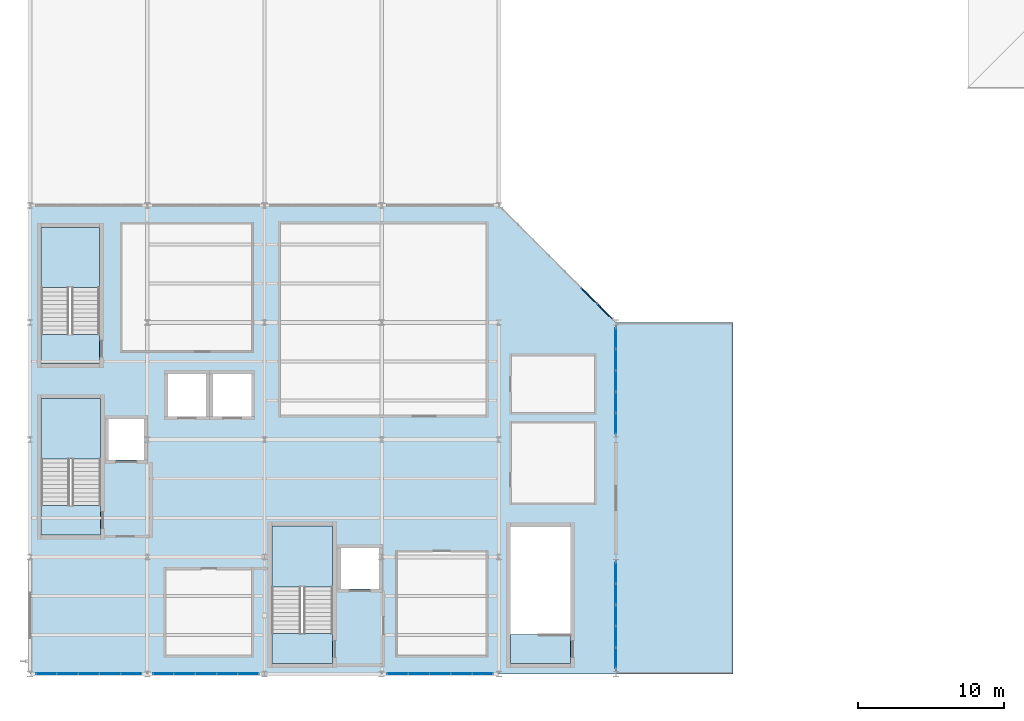
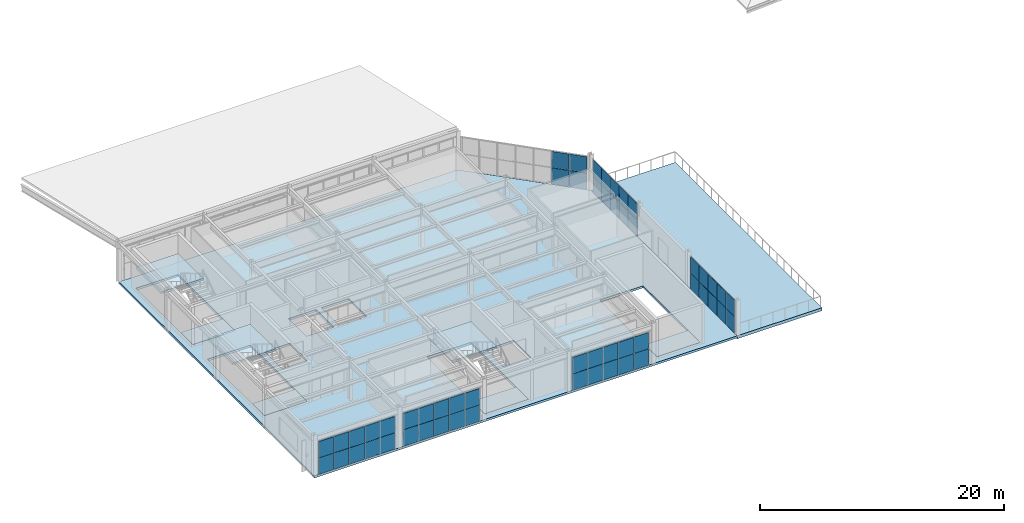
# One storey, part 15 of 27: 54 plates, 9 slabs, 9 elements without a shape of their own.
"""IFC4 building model written with IfcOpenShell, lengths in metres."""

import ifcopenshell
import ifcopenshell.guid

model = None  # the IFC model being written
_history = None  # IfcOwnerHistory: only IFC2X3 demands one
_inside = {}  # id of a spatial element -> (the spatial element, [elements in it])
_under = {}  # id of a project, library or spatial element -> (it, [spatial elements below it])
_declared = {}  # id of a project -> (the project, [libraries it declares])
_typed = {}  # id of a type object -> (the type object, [elements of that type])
_made_of = {}  # id of a material, layer set ... -> (it, [elements and type objects made of it])


def new_model(schema):
    """Start an empty IFC model of exactly this schema.

    Asked for "IFC4X3", IfcOpenShell would pick the latest addendum, in which some entities
    have other attributes; the version numbers below select the first issue.
    IFC2X3 requires an IfcOwnerHistory on every rooted entity: one is made here for all.
    """
    global model, _history
    if schema == "IFC4X3":
        model = ifcopenshell.file(schema_version=(4, 3, 0, 0))
    else:
        model = ifcopenshell.file(schema=schema)
    _inside.clear()
    _under.clear()
    _declared.clear()
    _typed.clear()
    _made_of.clear()
    _history = None
    if model.schema == "IFC2X3":
        org = make("IfcOrganization", Name="unknown")
        user = make(
            "IfcPersonAndOrganization",
            ThePerson=make("IfcPerson", FamilyName="unknown"),
            TheOrganization=org,
        )
        app = make(
            "IfcApplication",
            ApplicationDeveloper=org,
            Version="unknown",
            ApplicationFullName="unknown",
            ApplicationIdentifier="unknown",
        )
        _history = make(
            "IfcOwnerHistory",
            OwningUser=user,
            OwningApplication=app,
            ChangeAction="ADDED",
            CreationDate=0,
        )
    return model


def make(cls, **values):
    """One entity of the class cls with the attributes given. An attribute that is None is left unset."""
    return model.create_entity(
        cls, **{name: value for name, value in values.items() if value is not None}
    )


def rooted(cls, **values):
    """An entity with a GlobalId (a new one), such as an element, a storey or a relation."""
    return make(cls, GlobalId=ifcopenshell.guid.new(), OwnerHistory=_history, **values)


def si_unit(unit_type, name, prefix=None):
    """IfcSIUnit, for example si_unit("LENGTHUNIT", "METRE", prefix="MILLI")."""
    return make("IfcSIUnit", UnitType=unit_type, Prefix=prefix, Name=name)


def assignment(units):
    """IfcUnitAssignment: the units of a project."""
    return None if units is None else make("IfcUnitAssignment", Units=units)


def point(xyz):
    """IfcCartesianPoint."""
    return None if xyz is None else make("IfcCartesianPoint", Coordinates=xyz)


def direction(xyz):
    """IfcDirection."""
    return None if xyz is None else make("IfcDirection", DirectionRatios=xyz)


def frame(location, z_axis=None, x_axis=None):
    """IfcAxis2Placement3D, a coordinate frame: its origin and axes. An axis left out is left unset."""
    return make(
        "IfcAxis2Placement3D",
        Location=point(location),
        Axis=direction(z_axis),
        RefDirection=direction(x_axis),
    )


def frame_2d(location, x_axis=None):
    """IfcAxis2Placement2D, a coordinate frame in the plane: its origin and x axis."""
    return make(
        "IfcAxis2Placement2D", Location=point(location), RefDirection=direction(x_axis)
    )


def origin():
    """The frame at (0, 0, 0) with its axes left unset."""
    return frame((0.0, 0.0, 0.0))


def origin_2d():
    """The frame at (0, 0) in the plane with its x axis left unset."""
    return frame_2d((0.0, 0.0))


def place(relative_to, where):
    """IfcLocalPlacement: puts the frame where relative to a parent placement (None: the world)."""
    return make(
        "IfcLocalPlacement", PlacementRelTo=relative_to, RelativePlacement=where
    )


def context(
    kind, dimensions, precision=None, world=None, true_north=None, identifier=None
):
    """IfcGeometricRepresentationContext, for example the 3D "Model" context."""
    return make(
        "IfcGeometricRepresentationContext",
        ContextIdentifier=identifier,
        ContextType=kind,
        CoordinateSpaceDimension=dimensions,
        Precision=precision,
        WorldCoordinateSystem=world,
        TrueNorth=true_north,
    )


def subcontext(parent, identifier, kind, view, scale=None):
    """IfcGeometricRepresentationSubContext, for example "Body" below "Model"."""
    return make(
        "IfcGeometricRepresentationSubContext",
        ContextIdentifier=identifier,
        ContextType=kind,
        ParentContext=parent,
        TargetScale=scale,
        TargetView=view,
    )


def project(units=None, contexts=None):
    """IfcProject with its units and contexts."""
    return rooted(
        "IfcProject",
        Name="project",
        RepresentationContexts=contexts,
        UnitsInContext=assignment(units),
    )


def spatial(cls, under=None, at=None, **own):
    """A site, building, storey or space (cls), placed at a placement, below another one or the project."""
    s = rooted(cls, ObjectPlacement=at, **own)
    if under is not None:
        _under.setdefault(under.id(), (under, []))[1].append(s)
    return s


def polyline(points):
    """IfcPolyline through the points."""
    return make("IfcPolyline", Points=[point(p) for p in points])


def profile(cls, at=None, kind="AREA", **sizes):
    """A parametric profile (cls). Its sizes go by their IFC names, for example OverallWidth=200.0."""
    return make(cls, ProfileType=kind, Position=at, **sizes)


def rectangle(**sizes):
    """IfcRectangleProfileDef."""
    return profile("IfcRectangleProfileDef", **sizes)


def outline(outer, holes=None, kind="AREA"):
    """IfcArbitraryClosedProfileDef: a profile drawn as a closed curve; with holes, ...WithVoids."""
    if holes is None:
        return make("IfcArbitraryClosedProfileDef", ProfileType=kind, OuterCurve=outer)
    return make(
        "IfcArbitraryProfileDefWithVoids",
        ProfileType=kind,
        OuterCurve=outer,
        InnerCurves=holes,
    )


def extrude(swept, where, along, depth):
    """IfcExtrudedAreaSolid: the profile swept, set in the frame where, extruded along a direction by depth."""
    return make(
        "IfcExtrudedAreaSolid",
        SweptArea=swept,
        Position=where,
        ExtrudedDirection=direction(along),
        Depth=depth,
    )


def shape(context_of_items, identifier, shape_type, items):
    """IfcShapeRepresentation: the items that make up one representation, for example the "Body"."""
    return make(
        "IfcShapeRepresentation",
        ContextOfItems=context_of_items,
        RepresentationIdentifier=identifier,
        RepresentationType=shape_type,
        Items=items,
    )


def material(Name=None, Category=None):
    """IfcMaterial."""
    return make("IfcMaterial", Name=Name, Category=Category)


def layer(
    of_material, thickness, ventilated=None, Name=None, Category=None, Priority=None
):
    """IfcMaterialLayer: one layer of a wall or slab, of a material (None: an air gap)."""
    return make(
        "IfcMaterialLayer",
        Material=of_material,
        LayerThickness=thickness,
        IsVentilated=ventilated,
        Name=Name,
        Category=Category,
        Priority=Priority,
    )


def layer_set(layers, Name=None):
    """IfcMaterialLayerSet."""
    return make("IfcMaterialLayerSet", MaterialLayers=layers, LayerSetName=Name)


def made_of(thing, what):
    """Note that an element or type object is made of a material, layer set ...; save() writes the relation."""
    if what is not None:
        _made_of.setdefault(what.id(), (what, []))[1].append(thing)
    return thing


def type_object(cls, material=None, **own):
    """A type object (cls), such as IfcWallType, which elements share."""
    return made_of(rooted(cls, **own), material)


def element(
    cls,
    number,
    at=None,
    inside=None,
    cuts=None,
    type_object=None,
    material=None,
    context=None,
    identifier="Body",
    shape_type=None,
    held_by="IfcProductDefinitionShape",
    body=None,
    shapes=None,
    **own,
):
    """One element of the class cls, such as IfcWall. Its Tag is "e" and its number.

    at: its placement. inside: the storey or other place that contains it. cuts: it is an
    opening in that element (IfcRelVoidsElement). A single representation is given by context,
    identifier, shape_type and body (its items); several are given by shapes. held_by: the class
    of the entity that holds the representations. save() writes the other relations.
    """
    e = rooted(cls, Tag="e%d" % number, ObjectPlacement=at, **own)
    if body is not None:
        shapes = [shape(context, identifier, shape_type, body)]
    if shapes is not None:
        e.Representation = make(held_by, Representations=shapes)
    if inside is not None:
        _inside.setdefault(inside.id(), (inside, []))[1].append(e)
    if cuts is not None:
        rooted(
            "IfcRelVoidsElement", RelatingBuildingElement=cuts, RelatedOpeningElement=e
        )
    if type_object is not None:
        _typed.setdefault(type_object.id(), (type_object, []))[1].append(e)
    return made_of(e, material)


def aggregate(whole, parts):
    """IfcRelAggregates: a whole, such as a stair, and the parts it consists of."""
    return rooted("IfcRelAggregates", RelatingObject=whole, RelatedObjects=parts)


def save(model, path):
    """Write the relations noted so far, then the file.

    IfcRelAggregates (storeys below a building ...), IfcRelContainedInSpatialStructure (elements
    in a storey), IfcRelDefinesByType, IfcRelAssociatesMaterial and IfcRelDeclares: one each for
    every whole, place, type object, material and project.
    """
    for whole, parts in _under.values():
        aggregate(whole, parts)
    for where, things in _inside.values():
        rooted(
            "IfcRelContainedInSpatialStructure",
            RelatedElements=things,
            RelatingStructure=where,
        )
    for kind, things in _typed.values():
        rooted("IfcRelDefinesByType", RelatedObjects=things, RelatingType=kind)
    for what, things in _made_of.values():
        rooted("IfcRelAssociatesMaterial", RelatedObjects=things, RelatingMaterial=what)
    for by, libraries in _declared.values():
        rooted("IfcRelDeclares", RelatingContext=by, RelatedDefinitions=libraries)
    model.write(path)


model = new_model("IFC4")

# Units and contexts
model_context = context("Model", 3, precision=1e-05, world=origin(), true_north=direction((0.0, 1.0)))
body_context = subcontext(model_context, "Body", "Model", "MODEL_VIEW")
ifc_project = project(units=[si_unit("LENGTHUNIT", "METRE"), si_unit("AREAUNIT", "SQUARE_METRE"), si_unit("VOLUMEUNIT", "CUBIC_METRE"), si_unit("PLANEANGLEUNIT", "RADIAN"), si_unit("MASSUNIT", "GRAM", prefix="KILO")], contexts=[model_context])

# Site, building, storey
site_placement = place(None, origin())
site = spatial("IfcSite", under=ifc_project, at=site_placement, CompositionType="ELEMENT")
building_placement = place(site_placement, origin())
building = spatial("IfcBuilding", under=site, at=building_placement, Name="Drelvath Fold Interchange", CompositionType="ELEMENT")
storey_placement = place(building_placement, frame((0.0, 0.0, 19.800048828125)))
storey = spatial("IfcBuildingStorey", under=building, at=storey_placement, Name="L04", CompositionType="ELEMENT", Elevation=19.800048828125)

# Curtain wall, plates
ifc_material_1 = material(Name="Anodized Aluminium 6063-T6", Category="aluminium")
curtain_wall_type_1 = type_object("IfcCurtainWallType", Name="CW-OPS-UPP", PredefinedType="USERDEFINED", material=ifc_material_1)
curtain_wall_1_placement = place(storey_placement, origin())
curtain_wall_1 = element("IfcCurtainWall", 1, at=curtain_wall_1_placement, inside=storey, type_object=curtain_wall_type_1, Name="Curtain wall CW-V5-L04-S4", ObjectType="UNITISED CURTAIN WALL", PredefinedType="USERDEFINED")
ifc_material_2 = material(Name="Low-Iron Insulated Laminated Glass", Category="glass")
ifc_layer_1 = layer(ifc_material_2, 0.068115234375, Name="Low-Iron Insulated Laminated Glass")
ifc_layer_set_1 = layer_set([ifc_layer_1], Name="Low-Iron Insulated Laminated Glass")
plate_type = type_object("IfcPlateType", Name="CP-OPS-A", PredefinedType="CURTAIN_PANEL", material=ifc_layer_set_1)
plate_1_placement = place(storey_placement, frame((5.10791015625, 3.0, 0.04052734375), z_axis=(0.0, 0.0, 1.0), x_axis=(1.0, 0.0, 0.0)))
plate_1 = element("IfcPlate", 2, at=plate_1_placement, type_object=plate_type, Name="CW-V5-L04-S4 glazed panel 0-0", PredefinedType="CURTAIN_PANEL", context=body_context, shape_type="SweptSolid", body=[
    extrude(rectangle(XDim=1.39599609375, YDim=0.068115234375, at=origin_2d()), origin(), (0.0, 0.0, 1.0), 1.625),
])
plate_2_placement = place(storey_placement, frame((5.10791015625, 3.0, 1.6845703125), z_axis=(0.0, 0.0, 1.0), x_axis=(1.0, 0.0, 0.0)))
plate_2 = element("IfcPlate", 3, at=plate_2_placement, type_object=plate_type, Name="CW-V5-L04-S4 glazed panel 0-1", PredefinedType="CURTAIN_PANEL", context=body_context, shape_type="SweptSolid", body=[
    extrude(rectangle(XDim=1.39599609375, YDim=0.068115234375, at=origin_2d()), origin(), (0.0, 0.0, 1.0), 1.625),
])
plate_3_placement = place(storey_placement, frame((6.5439453125, 3.0, 0.04052734375), z_axis=(0.0, 0.0, 1.0), x_axis=(1.0, 0.0, 0.0)))
plate_3 = element("IfcPlate", 4, at=plate_3_placement, type_object=plate_type, Name="CW-V5-L04-S4 glazed panel 1-0", PredefinedType="CURTAIN_PANEL", context=body_context, shape_type="SweptSolid", body=[
    extrude(rectangle(XDim=1.43603515625, YDim=0.068115234375, at=origin_2d()), origin(), (0.0, 0.0, 1.0), 1.625),
])
plate_4_placement = place(storey_placement, frame((6.5439453125, 3.0, 1.6845703125), z_axis=(0.0, 0.0, 1.0), x_axis=(1.0, 0.0, 0.0)))
plate_4 = element("IfcPlate", 5, at=plate_4_placement, type_object=plate_type, Name="CW-V5-L04-S4 glazed panel 1-1", PredefinedType="CURTAIN_PANEL", context=body_context, shape_type="SweptSolid", body=[
    extrude(rectangle(XDim=1.43603515625, YDim=0.068115234375, at=origin_2d()), origin(), (0.0, 0.0, 1.0), 1.625),
])
plate_5_placement = place(storey_placement, frame((8.0, 3.0, 0.04052734375), z_axis=(0.0, 0.0, 1.0), x_axis=(1.0, 0.0, 0.0)))
plate_5 = element("IfcPlate", 6, at=plate_5_placement, type_object=plate_type, Name="CW-V5-L04-S4 glazed panel 2-0", PredefinedType="CURTAIN_PANEL", context=body_context, shape_type="SweptSolid", body=[
    extrude(rectangle(XDim=1.43603515625, YDim=0.068115234375, at=origin_2d()), origin(), (0.0, 0.0, 1.0), 1.625),
])
plate_6_placement = place(storey_placement, frame((8.0, 3.0, 1.6845703125), z_axis=(0.0, 0.0, 1.0), x_axis=(1.0, 0.0, 0.0)))
plate_6 = element("IfcPlate", 7, at=plate_6_placement, type_object=plate_type, Name="CW-V5-L04-S4 glazed panel 2-1", PredefinedType="CURTAIN_PANEL", context=body_context, shape_type="SweptSolid", body=[
    extrude(rectangle(XDim=1.43603515625, YDim=0.068115234375, at=origin_2d()), origin(), (0.0, 0.0, 1.0), 1.625),
])
plate_7_placement = place(storey_placement, frame((9.4560546875, 3.0, 0.04052734375), z_axis=(0.0, 0.0, 1.0), x_axis=(1.0, 0.0, 0.0)))
plate_7 = element("IfcPlate", 8, at=plate_7_placement, type_object=plate_type, Name="CW-V5-L04-S4 glazed panel 3-0", PredefinedType="CURTAIN_PANEL", context=body_context, shape_type="SweptSolid", body=[
    extrude(rectangle(XDim=1.43603515625, YDim=0.068115234375, at=origin_2d()), origin(), (0.0, 0.0, 1.0), 1.625),
])
plate_8_placement = place(storey_placement, frame((9.4560546875, 3.0, 1.6845703125), z_axis=(0.0, 0.0, 1.0), x_axis=(1.0, 0.0, 0.0)))
plate_8 = element("IfcPlate", 9, at=plate_8_placement, type_object=plate_type, Name="CW-V5-L04-S4 glazed panel 3-1", PredefinedType="CURTAIN_PANEL", context=body_context, shape_type="SweptSolid", body=[
    extrude(rectangle(XDim=1.43603515625, YDim=0.068115234375, at=origin_2d()), origin(), (0.0, 0.0, 1.0), 1.625),
])
plate_9_placement = place(storey_placement, frame((10.89208984375, 3.0, 0.04052734375), z_axis=(0.0, 0.0, 1.0), x_axis=(1.0, 0.0, 0.0)))
plate_9 = element("IfcPlate", 10, at=plate_9_placement, type_object=plate_type, Name="CW-V5-L04-S4 glazed panel 4-0", PredefinedType="CURTAIN_PANEL", context=body_context, shape_type="SweptSolid", body=[
    extrude(rectangle(XDim=1.39599609375, YDim=0.068115234375, at=origin_2d()), origin(), (0.0, 0.0, 1.0), 1.625),
])
plate_10_placement = place(storey_placement, frame((10.89208984375, 3.0, 1.6845703125), z_axis=(0.0, 0.0, 1.0), x_axis=(1.0, 0.0, 0.0)))
plate_10 = element("IfcPlate", 11, at=plate_10_placement, type_object=plate_type, Name="CW-V5-L04-S4 glazed panel 4-1", PredefinedType="CURTAIN_PANEL", context=body_context, shape_type="SweptSolid", body=[
    extrude(rectangle(XDim=1.39599609375, YDim=0.068115234375, at=origin_2d()), origin(), (0.0, 0.0, 1.0), 1.625),
])
aggregate(curtain_wall_1, [plate_1, plate_2, plate_3, plate_4, plate_5, plate_6, plate_7, plate_8, plate_9, plate_10])

curtain_wall_2_placement = place(storey_placement, origin())
curtain_wall_2 = element("IfcCurtainWall", 12, at=curtain_wall_2_placement, inside=storey, type_object=curtain_wall_type_1, Name="Curtain wall CW-V5-L04-S12", ObjectType="UNITISED CURTAIN WALL", PredefinedType="USERDEFINED")
plate_11_placement = place(storey_placement, frame((13.10791015625, 3.0, 0.04052734375), z_axis=(0.0, 0.0, 1.0), x_axis=(1.0, 0.0, 0.0)))
plate_11 = element("IfcPlate", 13, at=plate_11_placement, type_object=plate_type, Name="CW-V5-L04-S12 glazed panel 0-0", PredefinedType="CURTAIN_PANEL", context=body_context, shape_type="SweptSolid", body=[
    extrude(rectangle(XDim=1.39599609375, YDim=0.068115234375, at=origin_2d()), origin(), (0.0, 0.0, 1.0), 1.625),
])
plate_12_placement = place(storey_placement, frame((13.10791015625, 3.0, 1.6845703125), z_axis=(0.0, 0.0, 1.0), x_axis=(1.0, 0.0, 0.0)))
plate_12 = element("IfcPlate", 14, at=plate_12_placement, type_object=plate_type, Name="CW-V5-L04-S12 glazed panel 0-1", PredefinedType="CURTAIN_PANEL", context=body_context, shape_type="SweptSolid", body=[
    extrude(rectangle(XDim=1.39599609375, YDim=0.068115234375, at=origin_2d()), origin(), (0.0, 0.0, 1.0), 1.625),
])
plate_13_placement = place(storey_placement, frame((14.5439453125, 3.0, 0.04052734375), z_axis=(0.0, 0.0, 1.0), x_axis=(1.0, 0.0, 0.0)))
plate_13 = element("IfcPlate", 15, at=plate_13_placement, type_object=plate_type, Name="CW-V5-L04-S12 glazed panel 1-0", PredefinedType="CURTAIN_PANEL", context=body_context, shape_type="SweptSolid", body=[
    extrude(rectangle(XDim=1.43603515625, YDim=0.068115234375, at=origin_2d()), origin(), (0.0, 0.0, 1.0), 1.625),
])
plate_14_placement = place(storey_placement, frame((14.5439453125, 3.0, 1.6845703125), z_axis=(0.0, 0.0, 1.0), x_axis=(1.0, 0.0, 0.0)))
plate_14 = element("IfcPlate", 16, at=plate_14_placement, type_object=plate_type, Name="CW-V5-L04-S12 glazed panel 1-1", PredefinedType="CURTAIN_PANEL", context=body_context, shape_type="SweptSolid", body=[
    extrude(rectangle(XDim=1.43603515625, YDim=0.068115234375, at=origin_2d()), origin(), (0.0, 0.0, 1.0), 1.625),
])
plate_15_placement = place(storey_placement, frame((16.0, 3.0, 0.04052734375), z_axis=(0.0, 0.0, 1.0), x_axis=(1.0, 0.0, 0.0)))
plate_15 = element("IfcPlate", 17, at=plate_15_placement, type_object=plate_type, Name="CW-V5-L04-S12 glazed panel 2-0", PredefinedType="CURTAIN_PANEL", context=body_context, shape_type="SweptSolid", body=[
    extrude(rectangle(XDim=1.43603515625, YDim=0.068115234375, at=origin_2d()), origin(), (0.0, 0.0, 1.0), 1.625),
])
plate_16_placement = place(storey_placement, frame((16.0, 3.0, 1.6845703125), z_axis=(0.0, 0.0, 1.0), x_axis=(1.0, 0.0, 0.0)))
plate_16 = element("IfcPlate", 18, at=plate_16_placement, type_object=plate_type, Name="CW-V5-L04-S12 glazed panel 2-1", PredefinedType="CURTAIN_PANEL", context=body_context, shape_type="SweptSolid", body=[
    extrude(rectangle(XDim=1.43603515625, YDim=0.068115234375, at=origin_2d()), origin(), (0.0, 0.0, 1.0), 1.625),
])
plate_17_placement = place(storey_placement, frame((17.4560546875, 3.0, 0.04052734375), z_axis=(0.0, 0.0, 1.0), x_axis=(1.0, 0.0, 0.0)))
plate_17 = element("IfcPlate", 19, at=plate_17_placement, type_object=plate_type, Name="CW-V5-L04-S12 glazed panel 3-0", PredefinedType="CURTAIN_PANEL", context=body_context, shape_type="SweptSolid", body=[
    extrude(rectangle(XDim=1.43603515625, YDim=0.068115234375, at=origin_2d()), origin(), (0.0, 0.0, 1.0), 1.625),
])
plate_18_placement = place(storey_placement, frame((17.4560546875, 3.0, 1.6845703125), z_axis=(0.0, 0.0, 1.0), x_axis=(1.0, 0.0, 0.0)))
plate_18 = element("IfcPlate", 20, at=plate_18_placement, type_object=plate_type, Name="CW-V5-L04-S12 glazed panel 3-1", PredefinedType="CURTAIN_PANEL", context=body_context, shape_type="SweptSolid", body=[
    extrude(rectangle(XDim=1.43603515625, YDim=0.068115234375, at=origin_2d()), origin(), (0.0, 0.0, 1.0), 1.625),
])
plate_19_placement = place(storey_placement, frame((18.89208984375, 3.0, 0.04052734375), z_axis=(0.0, 0.0, 1.0), x_axis=(1.0, 0.0, 0.0)))
plate_19 = element("IfcPlate", 21, at=plate_19_placement, type_object=plate_type, Name="CW-V5-L04-S12 glazed panel 4-0", PredefinedType="CURTAIN_PANEL", context=body_context, shape_type="SweptSolid", body=[
    extrude(rectangle(XDim=1.39599609375, YDim=0.068115234375, at=origin_2d()), origin(), (0.0, 0.0, 1.0), 1.625),
])
plate_20_placement = place(storey_placement, frame((18.89208984375, 3.0, 1.6845703125), z_axis=(0.0, 0.0, 1.0), x_axis=(1.0, 0.0, 0.0)))
plate_20 = element("IfcPlate", 22, at=plate_20_placement, type_object=plate_type, Name="CW-V5-L04-S12 glazed panel 4-1", PredefinedType="CURTAIN_PANEL", context=body_context, shape_type="SweptSolid", body=[
    extrude(rectangle(XDim=1.39599609375, YDim=0.068115234375, at=origin_2d()), origin(), (0.0, 0.0, 1.0), 1.625),
])
aggregate(curtain_wall_2, [plate_11, plate_12, plate_13, plate_14, plate_15, plate_16, plate_17, plate_18, plate_19, plate_20])

curtain_wall_3_placement = place(storey_placement, origin())
curtain_wall_3 = element("IfcCurtainWall", 23, at=curtain_wall_3_placement, inside=storey, type_object=curtain_wall_type_1, Name="Curtain wall CW-V5-L04-S28", ObjectType="UNITISED CURTAIN WALL", PredefinedType="USERDEFINED")
plate_21_placement = place(storey_placement, frame((29.10791015625, 3.0, 0.04052734375), z_axis=(0.0, 0.0, 1.0), x_axis=(1.0, 0.0, 0.0)))
plate_21 = element("IfcPlate", 24, at=plate_21_placement, type_object=plate_type, Name="CW-V5-L04-S28 glazed panel 0-0", PredefinedType="CURTAIN_PANEL", context=body_context, shape_type="SweptSolid", body=[
    extrude(rectangle(XDim=1.39599609375, YDim=0.068115234375, at=origin_2d()), origin(), (0.0, 0.0, 1.0), 1.625),
])
plate_22_placement = place(storey_placement, frame((29.10791015625, 3.0, 1.6845703125), z_axis=(0.0, 0.0, 1.0), x_axis=(1.0, 0.0, 0.0)))
plate_22 = element("IfcPlate", 25, at=plate_22_placement, type_object=plate_type, Name="CW-V5-L04-S28 glazed panel 0-1", PredefinedType="CURTAIN_PANEL", context=body_context, shape_type="SweptSolid", body=[
    extrude(rectangle(XDim=1.39599609375, YDim=0.068115234375, at=origin_2d()), origin(), (0.0, 0.0, 1.0), 1.625),
])
plate_23_placement = place(storey_placement, frame((30.5439453125, 3.0, 0.04052734375), z_axis=(0.0, 0.0, 1.0), x_axis=(1.0, 0.0, 0.0)))
plate_23 = element("IfcPlate", 26, at=plate_23_placement, type_object=plate_type, Name="CW-V5-L04-S28 glazed panel 1-0", PredefinedType="CURTAIN_PANEL", context=body_context, shape_type="SweptSolid", body=[
    extrude(rectangle(XDim=1.43603515625, YDim=0.068115234375, at=origin_2d()), origin(), (0.0, 0.0, 1.0), 1.625),
])
plate_24_placement = place(storey_placement, frame((30.5439453125, 3.0, 1.6845703125), z_axis=(0.0, 0.0, 1.0), x_axis=(1.0, 0.0, 0.0)))
plate_24 = element("IfcPlate", 27, at=plate_24_placement, type_object=plate_type, Name="CW-V5-L04-S28 glazed panel 1-1", PredefinedType="CURTAIN_PANEL", context=body_context, shape_type="SweptSolid", body=[
    extrude(rectangle(XDim=1.43603515625, YDim=0.068115234375, at=origin_2d()), origin(), (0.0, 0.0, 1.0), 1.625),
])
plate_25_placement = place(storey_placement, frame((32.0, 3.0, 0.04052734375), z_axis=(0.0, 0.0, 1.0), x_axis=(1.0, 0.0, 0.0)))
plate_25 = element("IfcPlate", 28, at=plate_25_placement, type_object=plate_type, Name="CW-V5-L04-S28 glazed panel 2-0", PredefinedType="CURTAIN_PANEL", context=body_context, shape_type="SweptSolid", body=[
    extrude(rectangle(XDim=1.43603515625, YDim=0.068115234375, at=origin_2d()), origin(), (0.0, 0.0, 1.0), 1.625),
])
plate_26_placement = place(storey_placement, frame((32.0, 3.0, 1.6845703125), z_axis=(0.0, 0.0, 1.0), x_axis=(1.0, 0.0, 0.0)))
plate_26 = element("IfcPlate", 29, at=plate_26_placement, type_object=plate_type, Name="CW-V5-L04-S28 glazed panel 2-1", PredefinedType="CURTAIN_PANEL", context=body_context, shape_type="SweptSolid", body=[
    extrude(rectangle(XDim=1.43603515625, YDim=0.068115234375, at=origin_2d()), origin(), (0.0, 0.0, 1.0), 1.625),
])
plate_27_placement = place(storey_placement, frame((33.4560546875, 3.0, 0.04052734375), z_axis=(0.0, 0.0, 1.0), x_axis=(1.0, 0.0, 0.0)))
plate_27 = element("IfcPlate", 30, at=plate_27_placement, type_object=plate_type, Name="CW-V5-L04-S28 glazed panel 3-0", PredefinedType="CURTAIN_PANEL", context=body_context, shape_type="SweptSolid", body=[
    extrude(rectangle(XDim=1.43603515625, YDim=0.068115234375, at=origin_2d()), origin(), (0.0, 0.0, 1.0), 1.625),
])
plate_28_placement = place(storey_placement, frame((33.4560546875, 3.0, 1.6845703125), z_axis=(0.0, 0.0, 1.0), x_axis=(1.0, 0.0, 0.0)))
plate_28 = element("IfcPlate", 31, at=plate_28_placement, type_object=plate_type, Name="CW-V5-L04-S28 glazed panel 3-1", PredefinedType="CURTAIN_PANEL", context=body_context, shape_type="SweptSolid", body=[
    extrude(rectangle(XDim=1.43603515625, YDim=0.068115234375, at=origin_2d()), origin(), (0.0, 0.0, 1.0), 1.625),
])
plate_29_placement = place(storey_placement, frame((34.89208984375, 3.0, 0.04052734375), z_axis=(0.0, 0.0, 1.0), x_axis=(1.0, 0.0, 0.0)))
plate_29 = element("IfcPlate", 32, at=plate_29_placement, type_object=plate_type, Name="CW-V5-L04-S28 glazed panel 4-0", PredefinedType="CURTAIN_PANEL", context=body_context, shape_type="SweptSolid", body=[
    extrude(rectangle(XDim=1.39599609375, YDim=0.068115234375, at=origin_2d()), origin(), (0.0, 0.0, 1.0), 1.625),
])
plate_30_placement = place(storey_placement, frame((34.89208984375, 3.0, 1.6845703125), z_axis=(0.0, 0.0, 1.0), x_axis=(1.0, 0.0, 0.0)))
plate_30 = element("IfcPlate", 33, at=plate_30_placement, type_object=plate_type, Name="CW-V5-L04-S28 glazed panel 4-1", PredefinedType="CURTAIN_PANEL", context=body_context, shape_type="SweptSolid", body=[
    extrude(rectangle(XDim=1.39599609375, YDim=0.068115234375, at=origin_2d()), origin(), (0.0, 0.0, 1.0), 1.625),
])
aggregate(curtain_wall_3, [plate_21, plate_22, plate_23, plate_24, plate_25, plate_26, plate_27, plate_28, plate_29, plate_30])

curtain_wall_4_placement = place(storey_placement, origin())
curtain_wall_4 = element("IfcCurtainWall", 34, at=curtain_wall_4_placement, inside=storey, type_object=curtain_wall_type_1, Name="Curtain wall CW-V5-L04-E3", ObjectType="UNITISED CURTAIN WALL", PredefinedType="USERDEFINED")
plate_31_placement = place(storey_placement, frame((44.0, 4.10791015625, 0.04052734375), z_axis=(0.0, 0.0, 1.0), x_axis=(0.0, 1.0, 0.0)))
plate_31 = element("IfcPlate", 35, at=plate_31_placement, type_object=plate_type, Name="CW-V5-L04-E3 glazed panel 0-0", PredefinedType="CURTAIN_PANEL", context=body_context, shape_type="SweptSolid", body=[
    extrude(rectangle(XDim=1.39599609375, YDim=0.068115234375, at=origin_2d()), origin(), (0.0, 0.0, 1.0), 1.625),
])
plate_32_placement = place(storey_placement, frame((44.0, 4.10791015625, 1.6845703125), z_axis=(0.0, 0.0, 1.0), x_axis=(0.0, 1.0, 0.0)))
plate_32 = element("IfcPlate", 36, at=plate_32_placement, type_object=plate_type, Name="CW-V5-L04-E3 glazed panel 0-1", PredefinedType="CURTAIN_PANEL", context=body_context, shape_type="SweptSolid", body=[
    extrude(rectangle(XDim=1.39599609375, YDim=0.068115234375, at=origin_2d()), origin(), (0.0, 0.0, 1.0), 1.625),
])
plate_33_placement = place(storey_placement, frame((44.0, 5.5439453125, 0.04052734375), z_axis=(0.0, 0.0, 1.0), x_axis=(0.0, 1.0, 0.0)))
plate_33 = element("IfcPlate", 37, at=plate_33_placement, type_object=plate_type, Name="CW-V5-L04-E3 glazed panel 1-0", PredefinedType="CURTAIN_PANEL", context=body_context, shape_type="SweptSolid", body=[
    extrude(rectangle(XDim=1.43603515625, YDim=0.068115234375, at=origin_2d()), origin(), (0.0, 0.0, 1.0), 1.625),
])
plate_34_placement = place(storey_placement, frame((44.0, 5.5439453125, 1.6845703125), z_axis=(0.0, 0.0, 1.0), x_axis=(0.0, 1.0, 0.0)))
plate_34 = element("IfcPlate", 38, at=plate_34_placement, type_object=plate_type, Name="CW-V5-L04-E3 glazed panel 1-1", PredefinedType="CURTAIN_PANEL", context=body_context, shape_type="SweptSolid", body=[
    extrude(rectangle(XDim=1.43603515625, YDim=0.068115234375, at=origin_2d()), origin(), (0.0, 0.0, 1.0), 1.625),
])
plate_35_placement = place(storey_placement, frame((44.0, 7.0, 0.04052734375), z_axis=(0.0, 0.0, 1.0), x_axis=(0.0, 1.0, 0.0)))
plate_35 = element("IfcPlate", 39, at=plate_35_placement, type_object=plate_type, Name="CW-V5-L04-E3 glazed panel 2-0", PredefinedType="CURTAIN_PANEL", context=body_context, shape_type="SweptSolid", body=[
    extrude(rectangle(XDim=1.43603515625, YDim=0.068115234375, at=origin_2d()), origin(), (0.0, 0.0, 1.0), 1.625),
])
plate_36_placement = place(storey_placement, frame((44.0, 7.0, 1.6845703125), z_axis=(0.0, 0.0, 1.0), x_axis=(0.0, 1.0, 0.0)))
plate_36 = element("IfcPlate", 40, at=plate_36_placement, type_object=plate_type, Name="CW-V5-L04-E3 glazed panel 2-1", PredefinedType="CURTAIN_PANEL", context=body_context, shape_type="SweptSolid", body=[
    extrude(rectangle(XDim=1.43603515625, YDim=0.068115234375, at=origin_2d()), origin(), (0.0, 0.0, 1.0), 1.625),
])
plate_37_placement = place(storey_placement, frame((44.0, 8.4560546875, 0.04052734375), z_axis=(0.0, 0.0, 1.0), x_axis=(0.0, 1.0, 0.0)))
plate_37 = element("IfcPlate", 41, at=plate_37_placement, type_object=plate_type, Name="CW-V5-L04-E3 glazed panel 3-0", PredefinedType="CURTAIN_PANEL", context=body_context, shape_type="SweptSolid", body=[
    extrude(rectangle(XDim=1.43603515625, YDim=0.068115234375, at=origin_2d()), origin(), (0.0, 0.0, 1.0), 1.625),
])
plate_38_placement = place(storey_placement, frame((44.0, 8.4560546875, 1.6845703125), z_axis=(0.0, 0.0, 1.0), x_axis=(0.0, 1.0, 0.0)))
plate_38 = element("IfcPlate", 42, at=plate_38_placement, type_object=plate_type, Name="CW-V5-L04-E3 glazed panel 3-1", PredefinedType="CURTAIN_PANEL", context=body_context, shape_type="SweptSolid", body=[
    extrude(rectangle(XDim=1.43603515625, YDim=0.068115234375, at=origin_2d()), origin(), (0.0, 0.0, 1.0), 1.625),
])
plate_39_placement = place(storey_placement, frame((44.0, 9.89208984375, 0.04052734375), z_axis=(0.0, 0.0, 1.0), x_axis=(0.0, 1.0, 0.0)))
plate_39 = element("IfcPlate", 43, at=plate_39_placement, type_object=plate_type, Name="CW-V5-L04-E3 glazed panel 4-0", PredefinedType="CURTAIN_PANEL", context=body_context, shape_type="SweptSolid", body=[
    extrude(rectangle(XDim=1.39599609375, YDim=0.068115234375, at=origin_2d()), origin(), (0.0, 0.0, 1.0), 1.625),
])
plate_40_placement = place(storey_placement, frame((44.0, 9.89208984375, 1.6845703125), z_axis=(0.0, 0.0, 1.0), x_axis=(0.0, 1.0, 0.0)))
plate_40 = element("IfcPlate", 44, at=plate_40_placement, type_object=plate_type, Name="CW-V5-L04-E3 glazed panel 4-1", PredefinedType="CURTAIN_PANEL", context=body_context, shape_type="SweptSolid", body=[
    extrude(rectangle(XDim=1.39599609375, YDim=0.068115234375, at=origin_2d()), origin(), (0.0, 0.0, 1.0), 1.625),
])
aggregate(curtain_wall_4, [plate_31, plate_32, plate_33, plate_34, plate_35, plate_36, plate_37, plate_38, plate_39, plate_40])

curtain_wall_5_placement = place(storey_placement, origin())
curtain_wall_5 = element("IfcCurtainWall", 45, at=curtain_wall_5_placement, inside=storey, type_object=curtain_wall_type_1, Name="Curtain wall CW-V5-L04-E19", ObjectType="UNITISED CURTAIN WALL", PredefinedType="USERDEFINED")
plate_41_placement = place(storey_placement, frame((44.0, 20.10791015625, 0.04052734375), z_axis=(0.0, 0.0, 1.0), x_axis=(0.0, 1.0, 0.0)))
plate_41 = element("IfcPlate", 46, at=plate_41_placement, type_object=plate_type, Name="CW-V5-L04-E19 glazed panel 0-0", PredefinedType="CURTAIN_PANEL", context=body_context, shape_type="SweptSolid", body=[
    extrude(rectangle(XDim=1.39599609375, YDim=0.068115234375, at=origin_2d()), origin(), (0.0, 0.0, 1.0), 1.625),
])
plate_42_placement = place(storey_placement, frame((44.0, 20.10791015625, 1.6845703125), z_axis=(0.0, 0.0, 1.0), x_axis=(0.0, 1.0, 0.0)))
plate_42 = element("IfcPlate", 47, at=plate_42_placement, type_object=plate_type, Name="CW-V5-L04-E19 glazed panel 0-1", PredefinedType="CURTAIN_PANEL", context=body_context, shape_type="SweptSolid", body=[
    extrude(rectangle(XDim=1.39599609375, YDim=0.068115234375, at=origin_2d()), origin(), (0.0, 0.0, 1.0), 1.625),
])
plate_43_placement = place(storey_placement, frame((44.0, 21.5439453125, 0.04052734375), z_axis=(0.0, 0.0, 1.0), x_axis=(0.0, 1.0, 0.0)))
plate_43 = element("IfcPlate", 48, at=plate_43_placement, type_object=plate_type, Name="CW-V5-L04-E19 glazed panel 1-0", PredefinedType="CURTAIN_PANEL", context=body_context, shape_type="SweptSolid", body=[
    extrude(rectangle(XDim=1.43603515625, YDim=0.068115234375, at=origin_2d()), origin(), (0.0, 0.0, 1.0), 1.625),
])
plate_44_placement = place(storey_placement, frame((44.0, 21.5439453125, 1.6845703125), z_axis=(0.0, 0.0, 1.0), x_axis=(0.0, 1.0, 0.0)))
plate_44 = element("IfcPlate", 49, at=plate_44_placement, type_object=plate_type, Name="CW-V5-L04-E19 glazed panel 1-1", PredefinedType="CURTAIN_PANEL", context=body_context, shape_type="SweptSolid", body=[
    extrude(rectangle(XDim=1.43603515625, YDim=0.068115234375, at=origin_2d()), origin(), (0.0, 0.0, 1.0), 1.625),
])
plate_45_placement = place(storey_placement, frame((44.0, 23.0, 0.04052734375), z_axis=(0.0, 0.0, 1.0), x_axis=(0.0, 1.0, 0.0)))
plate_45 = element("IfcPlate", 50, at=plate_45_placement, type_object=plate_type, Name="CW-V5-L04-E19 glazed panel 2-0", PredefinedType="CURTAIN_PANEL", context=body_context, shape_type="SweptSolid", body=[
    extrude(rectangle(XDim=1.43603515625, YDim=0.068115234375, at=origin_2d()), origin(), (0.0, 0.0, 1.0), 1.625),
])
plate_46_placement = place(storey_placement, frame((44.0, 23.0, 1.6845703125), z_axis=(0.0, 0.0, 1.0), x_axis=(0.0, 1.0, 0.0)))
plate_46 = element("IfcPlate", 51, at=plate_46_placement, type_object=plate_type, Name="CW-V5-L04-E19 glazed panel 2-1", PredefinedType="CURTAIN_PANEL", context=body_context, shape_type="SweptSolid", body=[
    extrude(rectangle(XDim=1.43603515625, YDim=0.068115234375, at=origin_2d()), origin(), (0.0, 0.0, 1.0), 1.625),
])
plate_47_placement = place(storey_placement, frame((44.0, 24.4560546875, 0.04052734375), z_axis=(0.0, 0.0, 1.0), x_axis=(0.0, 1.0, 0.0)))
plate_47 = element("IfcPlate", 52, at=plate_47_placement, type_object=plate_type, Name="CW-V5-L04-E19 glazed panel 3-0", PredefinedType="CURTAIN_PANEL", context=body_context, shape_type="SweptSolid", body=[
    extrude(rectangle(XDim=1.43603515625, YDim=0.068115234375, at=origin_2d()), origin(), (0.0, 0.0, 1.0), 1.625),
])
plate_48_placement = place(storey_placement, frame((44.0, 24.4560546875, 1.6845703125), z_axis=(0.0, 0.0, 1.0), x_axis=(0.0, 1.0, 0.0)))
plate_48 = element("IfcPlate", 53, at=plate_48_placement, type_object=plate_type, Name="CW-V5-L04-E19 glazed panel 3-1", PredefinedType="CURTAIN_PANEL", context=body_context, shape_type="SweptSolid", body=[
    extrude(rectangle(XDim=1.43603515625, YDim=0.068115234375, at=origin_2d()), origin(), (0.0, 0.0, 1.0), 1.625),
])
plate_49_placement = place(storey_placement, frame((44.0, 25.89208984375, 0.04052734375), z_axis=(0.0, 0.0, 1.0), x_axis=(0.0, 1.0, 0.0)))
plate_49 = element("IfcPlate", 54, at=plate_49_placement, type_object=plate_type, Name="CW-V5-L04-E19 glazed panel 4-0", PredefinedType="CURTAIN_PANEL", context=body_context, shape_type="SweptSolid", body=[
    extrude(rectangle(XDim=1.39599609375, YDim=0.068115234375, at=origin_2d()), origin(), (0.0, 0.0, 1.0), 1.625),
])
plate_50_placement = place(storey_placement, frame((44.0, 25.89208984375, 1.6845703125), z_axis=(0.0, 0.0, 1.0), x_axis=(0.0, 1.0, 0.0)))
plate_50 = element("IfcPlate", 55, at=plate_50_placement, type_object=plate_type, Name="CW-V5-L04-E19 glazed panel 4-1", PredefinedType="CURTAIN_PANEL", context=body_context, shape_type="SweptSolid", body=[
    extrude(rectangle(XDim=1.39599609375, YDim=0.068115234375, at=origin_2d()), origin(), (0.0, 0.0, 1.0), 1.625),
])
aggregate(curtain_wall_5, [plate_41, plate_42, plate_43, plate_44, plate_45, plate_46, plate_47, plate_48, plate_49, plate_50])

curtain_wall_type_2 = type_object("IfcCurtainWallType", Name="CW-OPS-CHM", PredefinedType="USERDEFINED", material=ifc_material_1)
curtain_wall_6_placement = place(storey_placement, origin())
curtain_wall_6 = element("IfcCurtainWall", 56, at=curtain_wall_6_placement, inside=storey, type_object=curtain_wall_type_2, Name="Curtain wall CW-V5-L04-CHM", ObjectType="UNITISED CURTAIN WALL", PredefinedType="USERDEFINED")
plate_51_placement = place(storey_placement, frame((43.242919921875, 27.757080078125, 0.04052734375), z_axis=(0.0, 0.0, 1.0), x_axis=(-0.707106781187, 0.707106781187, 0.0)))
plate_51 = element("IfcPlate", 57, at=plate_51_placement, type_object=plate_type, Name="CW-V5-L04-CHM glazed panel 0-0", PredefinedType="CURTAIN_PANEL", context=body_context, shape_type="SweptSolid", body=[
    extrude(rectangle(XDim=1.47509765625, YDim=0.068115234375, at=origin_2d()), origin(), (0.0, 0.0, 1.0), 1.625),
])
plate_52_placement = place(storey_placement, frame((43.242919921875, 27.757080078125, 1.6845703125), z_axis=(0.0, 0.0, 1.0), x_axis=(-0.707106781187, 0.707106781187, 0.0)))
plate_52 = element("IfcPlate", 58, at=plate_52_placement, type_object=plate_type, Name="CW-V5-L04-CHM glazed panel 0-1", PredefinedType="CURTAIN_PANEL", context=body_context, shape_type="SweptSolid", body=[
    extrude(rectangle(XDim=1.47509765625, YDim=0.068115234375, at=origin_2d()), origin(), (0.0, 0.0, 1.0), 1.625),
])
plate_53_placement = place(storey_placement, frame((42.1708984375, 28.8291015625, 0.04052734375), z_axis=(0.0, 0.0, 1.0), x_axis=(-0.707106781187, 0.707106781187, 0.0)))
plate_53 = element("IfcPlate", 59, at=plate_53_placement, type_object=plate_type, Name="CW-V5-L04-CHM glazed panel 1-0", PredefinedType="CURTAIN_PANEL", context=body_context, shape_type="SweptSolid", body=[
    extrude(rectangle(XDim=1.514892578125, YDim=0.068115234375, at=origin_2d()), origin(), (0.0, 0.0, 1.0), 1.625),
])
plate_54_placement = place(storey_placement, frame((42.1708984375, 28.8291015625, 1.6845703125), z_axis=(0.0, 0.0, 1.0), x_axis=(-0.707106781187, 0.707106781187, 0.0)))
plate_54 = element("IfcPlate", 60, at=plate_54_placement, type_object=plate_type, Name="CW-V5-L04-CHM glazed panel 1-1", PredefinedType="CURTAIN_PANEL", context=body_context, shape_type="SweptSolid", body=[
    extrude(rectangle(XDim=1.514892578125, YDim=0.068115234375, at=origin_2d()), origin(), (0.0, 0.0, 1.0), 1.625),
])
aggregate(curtain_wall_6, [plate_51, plate_52, plate_53, plate_54])

# Slabs
ifc_material_3 = material(Name="Concrete f'c 35 MPa (5000 psi)", Category="concrete")
ifc_layer_2 = layer(ifc_material_3, 0.219970703125, Name="Concrete f'c 35 MPa (5000 psi)")
ifc_layer_set_2 = layer_set([ifc_layer_2], Name="Concrete f'c 35 MPa (5000 psi)")
slab_type_1 = type_object("IfcSlabType", Name="FS-UP4", PredefinedType="FLOOR", material=ifc_layer_set_2)
slab_1_placement = place(storey_placement, frame((0.0, 0.0, -0.219970703125)))
element("IfcSlab", 61, at=slab_1_placement, inside=storey, type_object=slab_type_1, Name="L04 structural slab SL-L04-V5", PredefinedType="FLOOR", context=body_context, shape_type="SweptSolid", body=[
    extrude(outline(polyline([(4.0, 3.0), (44.0, 3.0), (44.0, 27.0), (36.0, 35.0), (4.0, 35.0), (4.0, 3.0)]), holes=[polyline([(4.75, 12.5), (4.75, 21.800048828125), (8.81005859375, 21.800048828125), (8.81005859375, 12.5), (4.75, 12.5)]), polyline([(4.75, 24.199951171875), (4.75, 33.5), (8.72998046875, 33.5), (8.72998046875, 24.199951171875), (4.75, 24.199951171875)]), polyline([(20.5, 3.699951171875), (20.5, 13.10009765625), (24.659912109375, 13.10009765625), (24.659912109375, 3.699951171875), (20.5, 3.699951171875)]), polyline([(36.800048828125, 3.699951171875), (36.800048828125, 13.050048828125), (40.89990234375, 13.050048828125), (40.89990234375, 3.699951171875), (36.800048828125, 3.699951171875)]), polyline([(9.360107421875, 17.60009765625), (9.360107421875, 20.39990234375), (11.760009765625, 20.39990234375), (11.760009765625, 17.60009765625), (9.360107421875, 17.60009765625)]), polyline([(25.2099609375, 8.800048828125), (25.2099609375, 11.60009765625), (27.81005859375, 11.60009765625), (27.81005859375, 8.800048828125), (25.2099609375, 8.800048828125)]), polyline([(13.39990234375, 20.60009765625), (13.39990234375, 23.5), (16.0, 23.5), (16.0, 20.60009765625), (13.39990234375, 20.60009765625)]), polyline([(16.5, 20.60009765625), (16.5, 23.5), (19.10009765625, 23.5), (19.10009765625, 20.60009765625), (16.5, 20.60009765625)])]), origin(), (0.0, 0.0, 1.0), 0.219970703125),
])
slab_2_placement = place(storey_placement, frame((0.0, 0.0, -0.219970703125)))
element("IfcSlab", 62, at=slab_2_placement, inside=storey, type_object=slab_type_1, Name="ST-01 L04 stair floor landing slab", PredefinedType="FLOOR", context=body_context, shape_type="SweptSolid", body=[
    extrude(outline(polyline([(4.75, 12.5), (8.81005859375, 12.5), (8.81005859375, 14.5), (4.75, 14.5), (4.75, 12.5)])), origin(), (0.0, 0.0, 1.0), 0.219970703125),
])
slab_3_placement = place(storey_placement, frame((0.0, 0.0, -0.219970703125)))
element("IfcSlab", 63, at=slab_3_placement, inside=storey, type_object=slab_type_1, Name="ST-02 L04 stair floor landing slab", PredefinedType="FLOOR", context=body_context, shape_type="SweptSolid", body=[
    extrude(outline(polyline([(4.75, 24.199951171875), (8.72998046875, 24.199951171875), (8.72998046875, 26.199951171875), (4.75, 26.199951171875), (4.75, 24.199951171875)])), origin(), (0.0, 0.0, 1.0), 0.219970703125),
])
slab_4_placement = place(storey_placement, frame((0.0, 0.0, -0.219970703125)))
element("IfcSlab", 64, at=slab_4_placement, inside=storey, type_object=slab_type_1, Name="ST-03 L04 stair floor landing slab", PredefinedType="FLOOR", context=body_context, shape_type="SweptSolid", body=[
    extrude(outline(polyline([(20.5, 3.699951171875), (24.659912109375, 3.699951171875), (24.659912109375, 5.75), (20.5, 5.75), (20.5, 3.699951171875)])), origin(), (0.0, 0.0, 1.0), 0.219970703125),
])
slab_5_placement = place(storey_placement, frame((0.0, 0.0, -0.219970703125)))
element("IfcSlab", 65, at=slab_5_placement, inside=storey, type_object=slab_type_1, Name="ST-04 L04 stair floor landing slab", PredefinedType="FLOOR", context=body_context, shape_type="SweptSolid", body=[
    extrude(outline(polyline([(36.800048828125, 3.699951171875), (40.89990234375, 3.699951171875), (40.89990234375, 5.699951171875), (36.800048828125, 5.699951171875), (36.800048828125, 3.699951171875)])), origin(), (0.0, 0.0, 1.0), 0.219970703125),
])

# Stair, slab
stair_type_1 = type_object("IfcStairType", Name="STR-01", PredefinedType="HALF_TURN_STAIR", material=ifc_material_3)
stair_1_placement = place(storey_placement, origin())
stair_1 = element("IfcStair", 66, at=stair_1_placement, inside=storey, type_object=stair_type_1, Name="L04 Protected Exit Stair ST-01", PredefinedType="HALF_TURN_STAIR")
ifc_layer_3 = layer(ifc_material_3, 0.199951171875, Name="Concrete f'c 35 MPa (5000 psi)")
ifc_layer_set_3 = layer_set([ifc_layer_3], Name="Concrete f'c 35 MPa (5000 psi)")
slab_type_2 = type_object("IfcSlabType", Name="SL-LND200", PredefinedType="LANDING", material=ifc_layer_set_3)
slab_6_placement = place(storey_placement, frame((0.0, 0.0, 1.89990234375)))
slab_6 = element("IfcSlab", 67, at=slab_6_placement, type_object=slab_type_2, Name="ST-01 landing 1", PredefinedType="LANDING", context=body_context, shape_type="SweptSolid", body=[
    extrude(outline(polyline([(8.81005859375, 17.68994140625), (8.81005859375, 21.800048828125), (4.75, 21.800048828125), (4.75, 17.68994140625), (8.81005859375, 17.68994140625)])), origin(), (0.0, 0.0, 1.0), 0.199951171875),
])
aggregate(stair_1, [slab_6])

stair_type_2 = type_object("IfcStairType", Name="STR-02", PredefinedType="HALF_TURN_STAIR", material=ifc_material_3)
stair_2_placement = place(storey_placement, origin())
stair_2 = element("IfcStair", 68, at=stair_2_placement, inside=storey, type_object=stair_type_2, Name="L04 Protected Exit Stair ST-02", PredefinedType="HALF_TURN_STAIR")
slab_7_placement = place(storey_placement, frame((0.0, 0.0, 1.89990234375)))
slab_7 = element("IfcSlab", 69, at=slab_7_placement, type_object=slab_type_2, Name="ST-02 landing 1", PredefinedType="LANDING", context=body_context, shape_type="SweptSolid", body=[
    extrude(outline(polyline([(8.72998046875, 29.389892578125), (8.72998046875, 33.5), (4.75, 33.5), (4.75, 29.389892578125), (8.72998046875, 29.389892578125)])), origin(), (0.0, 0.0, 1.0), 0.199951171875),
])
aggregate(stair_2, [slab_7])

stair_type_3 = type_object("IfcStairType", Name="STR-03", PredefinedType="HALF_TURN_STAIR", material=ifc_material_3)
stair_3_placement = place(storey_placement, origin())
stair_3 = element("IfcStair", 70, at=stair_3_placement, inside=storey, type_object=stair_type_3, Name="L04 Protected Exit Stair ST-03", PredefinedType="HALF_TURN_STAIR")
slab_8_placement = place(storey_placement, frame((0.0, 0.0, 1.89990234375)))
slab_8 = element("IfcSlab", 71, at=slab_8_placement, type_object=slab_type_2, Name="ST-03 landing 1", PredefinedType="LANDING", context=body_context, shape_type="SweptSolid", body=[
    extrude(outline(polyline([(24.659912109375, 8.93994140625), (24.659912109375, 13.10009765625), (20.5, 13.10009765625), (20.5, 8.93994140625), (24.659912109375, 8.93994140625)])), origin(), (0.0, 0.0, 1.0), 0.199951171875),
])
aggregate(stair_3, [slab_8])

# Slab
ifc_layer_4 = layer(ifc_material_3, 0.300048828125, Name="Concrete f'c 35 MPa (5000 psi)")
ifc_layer_set_4 = layer_set([ifc_layer_4], Name="Concrete f'c 35 MPa (5000 psi)")
slab_type_3 = type_object("IfcSlabType", Name="TR-04", PredefinedType="FLOOR", material=ifc_layer_set_4)
slab_9_placement = place(storey_placement, frame((0.0, 0.0, -0.300048828125)))
element("IfcSlab", 72, at=slab_9_placement, inside=storey, type_object=slab_type_3, Name="Incident Command East Setback Terrace", PredefinedType="FLOOR", context=body_context, shape_type="SweptSolid", body=[
    extrude(outline(polyline([(44.0, 3.0), (52.0, 3.0), (52.0, 27.0), (44.0, 27.0), (44.0, 3.0)])), origin(), (0.0, 0.0, 1.0), 0.300048828125),
])

save(model, "model.ifc")
